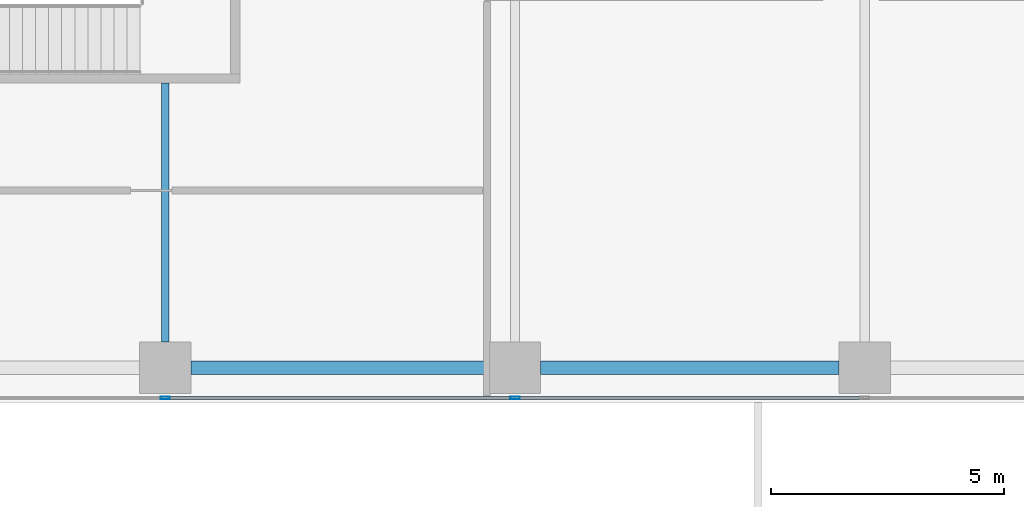
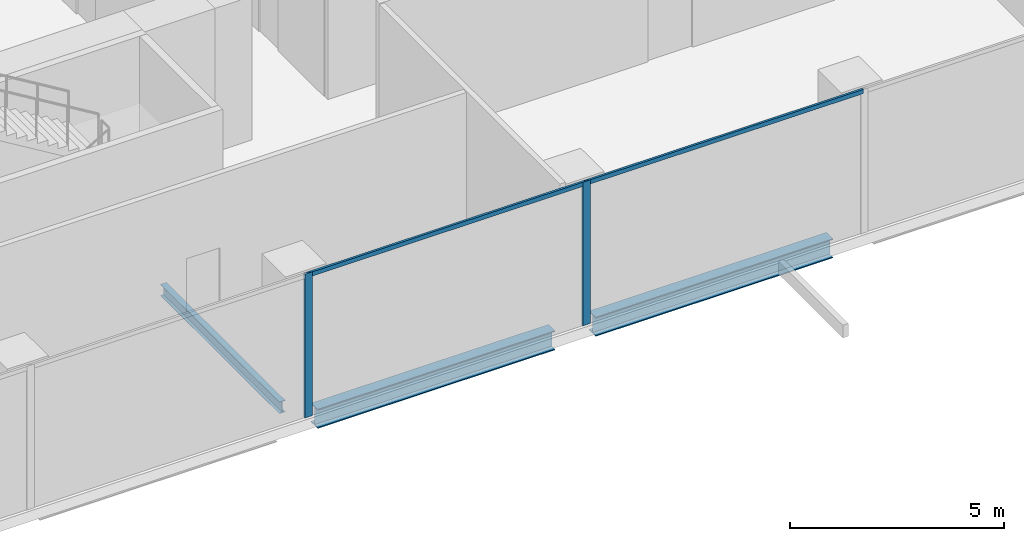
# One storey, part 5 of 34: 4 members, 3 beams, 1 element without a shape of its own.
"""IFC4 building model written with IfcOpenShell, lengths in metres."""

from ifc_helpers import new_model, si_unit, direction, frame, origin, origin_2d, place, context, subcontext, project, spatial, hollow_rectangle, i_section, extrude, source, transform, mapped, material, material_profile, profile_set, type_object, element, aggregate, save


model = new_model("IFC4")

# Units and contexts
model_context = context("Model", 3, precision=1e-05, world=origin(), true_north=direction((0.0, 1.0)))
body_context = subcontext(model_context, "Body", "Model", "MODEL_VIEW")
ifc_project = project(units=[si_unit("LENGTHUNIT", "METRE"), si_unit("AREAUNIT", "SQUARE_METRE"), si_unit("VOLUMEUNIT", "CUBIC_METRE"), si_unit("PLANEANGLEUNIT", "RADIAN"), si_unit("MASSUNIT", "GRAM", prefix="KILO")], contexts=[model_context])

# Site, building, storey
site_placement = place(None, origin())
site = spatial("IfcSite", under=ifc_project, at=site_placement, CompositionType="ELEMENT")
building_placement = place(site_placement, origin())
building = spatial("IfcBuilding", under=site, at=building_placement, Name="Khomas Fold Tower", CompositionType="ELEMENT")
storey_placement = place(building_placement, frame((0.0, 0.0, 145.5)))
storey = spatial("IfcBuildingStorey", under=building, at=storey_placement, Name="L31", CompositionType="ELEMENT", Elevation=145.5)

# Beams
ifc_material_1 = material(Name="Steel S355", Category="steel")
ifc_material_profile_1 = material_profile(ifc_material_1, i_section(OverallWidth=0.300048828125, OverallDepth=0.550048828125, WebThickness=0.014892578125, FlangeThickness=0.029052734375, at=origin_2d()), Name="HE 550 B")
ifc_profile_set_1 = profile_set([ifc_material_profile_1], Name="Steel S355")
beam_type_1 = type_object("IfcBeamType", Name="HE 550 B spandrel SB2", PredefinedType="SPANDREL", material=ifc_profile_set_1)
shared_shape_1 = source(origin(), body_context, "Body", "SweptSolid", [
    extrude(i_section(OverallWidth=0.300048828125, OverallDepth=0.550048828125, WebThickness=0.014892578125, FlangeThickness=0.029052734375, at=origin_2d()), origin(), (0.0, 0.0, 1.0), 6.39990234375),
])
for number, where, z_axis, x_axis, name in (
    (1, (20.050048828125, 2.25, -0.574951171875), (1.0, 0.0, 0.0), (0.0, 1.0, 0.0), "SB2"),
    (2, (27.550048828125, 2.25, -0.574951171875), (1.0, 0.0, 0.0), (0.0, 1.0, 0.0), "SB2"),
):
    element("IfcBeam", number, at=place(storey_placement, frame(where, z_axis=z_axis, x_axis=x_axis)), inside=storey, type_object=beam_type_1, Name=name, PredefinedType="SPANDREL", context=body_context, shape_type="MappedRepresentation", body=[
        mapped(shared_shape_1, transform((0.0, 0.0, 0.0))),
    ])
ifc_material_2 = material(Name="Steel S355", Category="steel")
ifc_material_profile_2 = material_profile(ifc_material_2, i_section(OverallWidth=0.159912109375, OverallDepth=0.330078125, WebThickness=0.007568359375, FlangeThickness=0.011474609375, at=origin_2d()), Name="IPE 330")
ifc_profile_set_2 = profile_set([ifc_material_profile_2], Name="Steel S355")
beam_type_2 = type_object("IfcBeamType", Name="IPE 330 beam JB1", PredefinedType="BEAM", material=ifc_profile_set_2)
shared_shape_2 = source(origin(), body_context, "Body", "SweptSolid", [
    extrude(i_section(OverallWidth=0.159912109375, OverallDepth=0.330078125, WebThickness=0.007568359375, FlangeThickness=0.011474609375, at=origin_2d()), origin(), (0.0, 0.0, 1.0), 5.550048828125),
])
beam_placement = place(storey_placement, frame((19.5, 2.800048828125, -0.465087890625), z_axis=(0.0, 1.0, 0.0), x_axis=(-1.0, 0.0, 0.0)))
element("IfcBeam", 3, at=beam_placement, inside=storey, type_object=beam_type_2, Name="JB1", PredefinedType="BEAM", context=body_context, shape_type="MappedRepresentation", body=[
    mapped(shared_shape_2, transform((0.0, 0.0, 0.0))),
])

# Curtain wall, members
ifc_material_3 = material(Name="Aluminium framed double glazing", Category="aluminium")
curtain_wall_type = type_object("IfcCurtainWallType", Name="SK-Unitised clear-glass wall, growing floors CW1", PredefinedType="NOTDEFINED", material=ifc_material_3)
curtain_wall_placement = place(storey_placement, origin())
curtain_wall = element("IfcCurtainWall", 4, at=curtain_wall_placement, inside=storey, type_object=curtain_wall_type, Name="CW1 run L31 00-0", PredefinedType="NOTDEFINED")
ifc_material_4 = material(Name="Aluminium", Category="aluminium")
ifc_material_profile_3 = material_profile(ifc_material_4, hollow_rectangle(XDim=0.06005859375, YDim=0.1201171875, WallThickness=0.00390625, at=origin_2d()), Name="SK-Unitised clear-glass wall, growing floors transom CW1-T")
ifc_profile_set_3 = profile_set([ifc_material_profile_3], Name="Aluminium")
member_type_1 = type_object("IfcMemberType", Name="SK-Unitised clear-glass wall, growing floors transom CW1-T", PredefinedType="USERDEFINED", material=ifc_profile_set_3)
shared_shape_3 = source(origin(), body_context, "Body", "SweptSolid", [
    extrude(hollow_rectangle(XDim=0.06005859375, YDim=0.1201171875, WallThickness=0.00390625, at=origin_2d()), origin(), (0.0, 0.0, 1.0), 7.43994140625),
])
member_1_placement = place(storey_placement, frame((19.530029296875, 1.60009765625, 4.0400390625), z_axis=(1.0, 0.0, 0.0), x_axis=(0.0, 1.0, 0.0)))
member_1 = element("IfcMember", 5, at=member_1_placement, type_object=member_type_1, Name="CW1 transom 4", ObjectType="TRANSOM", PredefinedType="USERDEFINED", context=body_context, shape_type="MappedRepresentation", body=[
    mapped(shared_shape_3, transform((0.0, 0.0, 0.0))),
])
member_2_placement = place(storey_placement, frame((27.030029296875, 1.60009765625, 4.0400390625), z_axis=(1.0, 0.0, 0.0), x_axis=(0.0, 1.0, 0.0)))
member_2 = element("IfcMember", 6, at=member_2_placement, type_object=member_type_1, Name="CW1 transom 5", ObjectType="TRANSOM", PredefinedType="USERDEFINED", context=body_context, shape_type="MappedRepresentation", body=[
    mapped(shared_shape_3, transform((0.0, 0.0, 0.0))),
])
ifc_material_5 = material(Name="Aluminium", Category="aluminium")
ifc_material_profile_4 = material_profile(ifc_material_5, hollow_rectangle(XDim=0.06005859375, YDim=0.199951171875, WallThickness=0.00390625, at=origin_2d()), Name="SK-Unitised clear-glass wall, growing floors mullion CW1-M")
ifc_profile_set_4 = profile_set([ifc_material_profile_4], Name="Aluminium")
member_type_2 = type_object("IfcMemberType", Name="SK-Unitised clear-glass wall, growing floors mullion CW1-M", PredefinedType="MULLION", material=ifc_profile_set_4)
shared_shape_4 = source(origin(), body_context, "Body", "SweptSolid", [
    extrude(hollow_rectangle(XDim=0.06005859375, YDim=0.199951171875, WallThickness=0.00390625, at=origin_2d()), origin(), (0.0, 0.0, 1.0), 4.10009765625),
])
member_3_placement = place(storey_placement, frame((19.5, 1.60009765625, 0.0), z_axis=(0.0, 0.0, 1.0), x_axis=(0.0, 1.0, 0.0)))
member_3 = element("IfcMember", 7, at=member_3_placement, type_object=member_type_2, Name="CW1 mullion 4", PredefinedType="MULLION", context=body_context, shape_type="MappedRepresentation", body=[
    mapped(shared_shape_4, transform((0.0, 0.0, 0.0))),
])
member_4_placement = place(storey_placement, frame((27.0, 1.60009765625, 0.0), z_axis=(0.0, 0.0, 1.0), x_axis=(0.0, 1.0, 0.0)))
member_4 = element("IfcMember", 8, at=member_4_placement, type_object=member_type_2, Name="CW1 mullion 5", PredefinedType="MULLION", context=body_context, shape_type="MappedRepresentation", body=[
    mapped(shared_shape_4, transform((0.0, 0.0, 0.0))),
])
aggregate(curtain_wall, [member_3, member_4, member_1, member_2])

save(model, "model.ifc")
